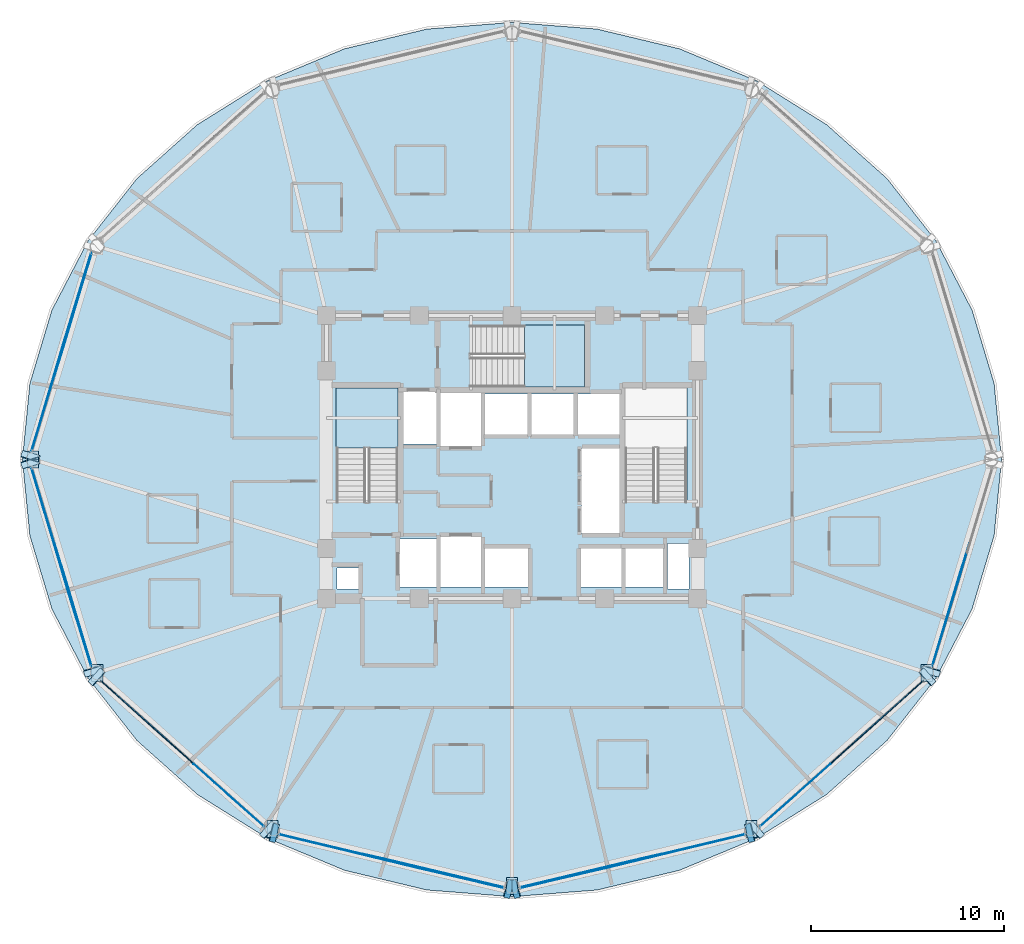
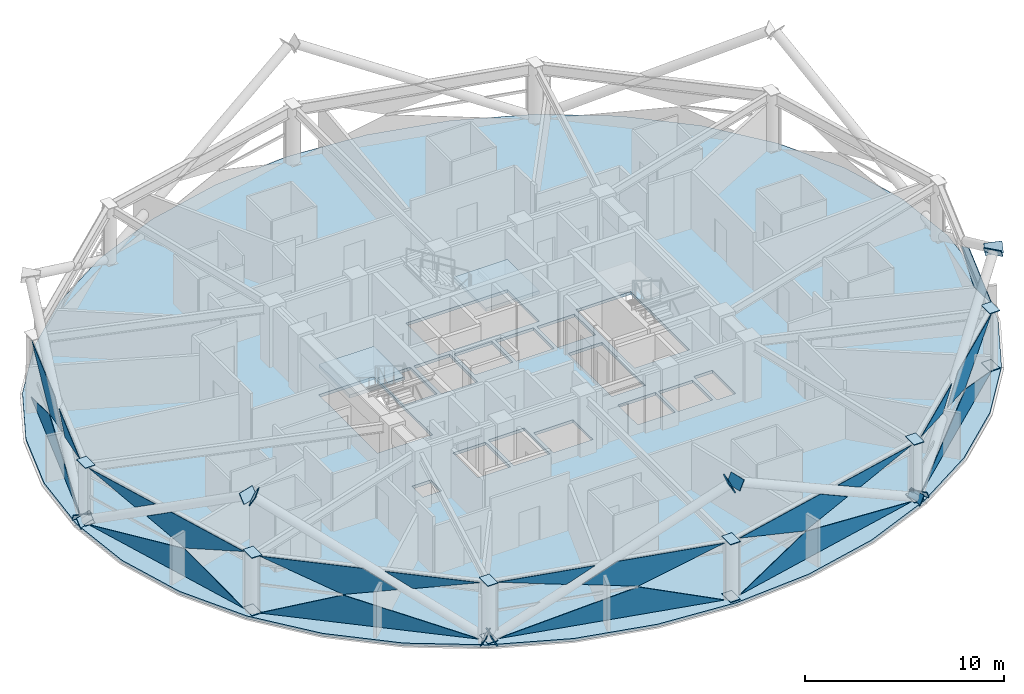
# One storey, part 20 of 29: 43 plates, 3 slabs, 9 elements without a shape of their own.
"""IFC4 building model written with IfcOpenShell, lengths in metres."""

from ifc_helpers import new_model, si_unit, direction, frame, origin, place, context, subcontext, project, spatial, polyline, outline, extrude, material, layer, layer_set, type_object, element, aggregate, save


model = new_model("IFC4")

# Units and contexts
model_context = context("Model", 3, precision=1e-05, world=origin(), true_north=direction((0.0, 1.0)))
body_context = subcontext(model_context, "Body", "Model", "MODEL_VIEW")
ifc_project = project(units=[si_unit("LENGTHUNIT", "METRE"), si_unit("AREAUNIT", "SQUARE_METRE"), si_unit("VOLUMEUNIT", "CUBIC_METRE"), si_unit("PLANEANGLEUNIT", "RADIAN"), si_unit("MASSUNIT", "GRAM", prefix="KILO")], contexts=[model_context])

# Site, building, storey
site_placement = place(None, origin())
site = spatial("IfcSite", under=ifc_project, at=site_placement, CompositionType="ELEMENT")
building_placement = place(site_placement, origin())
building = spatial("IfcBuilding", under=site, at=building_placement, Name="Vantalir Tower", CompositionType="ELEMENT")
storey_placement = place(building_placement, frame((0.0, 0.0, 149.699951171875)))
storey = spatial("IfcBuildingStorey", under=building, at=storey_placement, Name="L37", CompositionType="ELEMENT", Elevation=149.699951171875)

# Curtain wall, plates
ifc_material_1 = material(Name="Champagne-silver PVDF aluminium and double-silver Low-E glass", Category="aluminium")
ifc_layer_1 = layer(ifc_material_1, 0.199951171875)
ifc_layer_set_1 = layer_set([ifc_layer_1], Name="Champagne-silver PVDF aluminium and double-silver Low-E glass")
curtain_wall_type = type_object("IfcCurtainWallType", Name="CW-DIAMOND-Z2", PredefinedType="USERDEFINED", material=ifc_layer_set_1)
curtain_wall_1_placement = place(storey_placement, origin())
curtain_wall_1 = element("IfcCurtainWall", 1, at=curtain_wall_1_placement, inside=storey, type_object=curtain_wall_type, Name="L37 Quilted Pyramid-Diamond Curtain Wall S06", ObjectType="UNITISED CURTAIN WALL", PredefinedType="USERDEFINED")
ifc_material_2 = material(Name="Double-silver Low-E laminated glass IGU", Category="glass")
ifc_layer_2 = layer(ifc_material_2, 0.028076171875)
ifc_layer_set_2 = layer_set([ifc_layer_2], Name="Double-silver Low-E laminated glass IGU")
plate_type_1 = type_object("IfcPlateType", Name="CWP-IGU-28", PredefinedType="CURTAIN_PANEL", material=ifc_layer_set_2)
plate_1_placement = place(storey_placement, frame((9.741943359375, 35.693359375, 0.046875), z_axis=(0.957564071006, -0.287889450564, 0.013809930182), x_axis=(-0.28791660525, -0.957655484974, -2.2792638e-05)))
plate_1 = element("IfcPlate", 2, at=plate_1_placement, type_object=plate_type_1, Name="CW-L37-S06 Pyramid Diamond Facet 1L", PredefinedType="CURTAIN_PANEL", context=body_context, shape_type="SweptSolid", body=[
    extrude(outline(polyline([(0.0, 0.0), (10.711380721923996, 5.44811591673966e-18), (4.075647975215292, -1.7263317397813793), (0.0, 0.0)])), origin(), (0.0, 0.0, -1.0), 0.028076171875),
])
plate_2_placement = place(storey_placement, frame((9.741943359375, 35.693359375, 3.523193359375), z_axis=(-0.957563438218, 0.28789228305, 0.013794750779), x_axis=(-0.287919038671, -0.957654752415, 4.8456693e-05)))
plate_2 = element("IfcPlate", 3, at=plate_2_placement, type_object=plate_type_1, Name="CW-L37-S06 Pyramid Diamond Facet 2U", PredefinedType="CURTAIN_PANEL", context=body_context, shape_type="SweptSolid", body=[
    extrude(outline(polyline([(0.0, 0.0), (5.034224554927279, -5.583641188300348e-18), (6.719779613741699, -1.0385103734618548), (4.075603733998157, -1.7264361838381996), (0.0, 0.0)])), origin(), (0.0, 0.0, -1.0), 0.028076171875),
])
plate_3_placement = place(storey_placement, frame((7.948974609375, 29.841064453125, 3.52392578125), z_axis=(-0.957577912643, 0.287853015002, 0.013608195022), x_axis=(-0.287879671443, -0.957666588521, 0.0)))
plate_3 = element("IfcPlate", 4, at=plate_3_placement, type_object=plate_type_1, Name="CW-L37-S06 Pyramid Diamond Facet 2U Infill Light", PredefinedType="CURTAIN_PANEL", context=body_context, shape_type="SweptSolid", body=[
    extrude(outline(polyline([(0.0, 0.0), (4.590574931890273, 0.0), (1.3629914877459661, -0.8396773599491076), (0.0, 0.0)])), origin(), (0.0, 0.0, -1.0), 0.028076171875),
])
aggregate(curtain_wall_1, [plate_1, plate_2, plate_3])

curtain_wall_2_placement = place(storey_placement, origin())
curtain_wall_2 = element("IfcCurtainWall", 5, at=curtain_wall_2_placement, inside=storey, type_object=curtain_wall_type, Name="L37 Quilted Pyramid-Diamond Curtain Wall S07", ObjectType="UNITISED CURTAIN WALL", PredefinedType="USERDEFINED")
plate_4_placement = place(storey_placement, frame((6.657958984375, 24.564208984375, 0.046630859375), z_axis=(0.957570200047, 0.287870738047, 0.013774983065), x_axis=(0.287897752934, -0.957661152671, 2.2791146e-05)))
plate_4 = element("IfcPlate", 6, at=plate_4_placement, type_object=plate_type_1, Name="CW-L37-S07 Pyramid Diamond Facet 1L", PredefinedType="CURTAIN_PANEL", context=body_context, shape_type="SweptSolid", body=[
    extrude(outline(polyline([(0.0, 0.0), (10.712082131825547, 9.595189226496714e-18), (6.635967016159975, -1.7263309120844164), (0.0, 0.0)])), origin(), (0.0, 0.0, -1.0), 0.028076171875),
])
plate_5_placement = place(storey_placement, frame((8.29248046875, 19.126953125, 3.5234375), z_axis=(-0.957567952801, -0.287879571495, 0.013746566284), x_axis=(0.287906137008, -0.957658631207, -4.846132e-05)))
plate_5 = element("IfcPlate", 7, at=plate_5_placement, type_object=plate_type_1, Name="CW-L37-S07 Pyramid Diamond Facet 2U", PredefinedType="CURTAIN_PANEL", context=body_context, shape_type="SweptSolid", body=[
    extrude(outline(polyline([(0.0, 0.0), (5.034458357653104, -7.101524229780054e-18), (0.9583873463012527, -1.7264350449553847), (-1.6857886644262763, -1.0385097379942545), (0.0, 0.0)])), origin(), (0.0, 0.0, -1.0), 0.028076171875),
])
plate_6_placement = place(storey_placement, frame((6.627197265625, 24.55517578125, 3.52392578125), z_axis=(-0.957572495603, -0.287872590993, 0.013575235525), x_axis=(0.287899120251, -0.957660741891, 0.0)))
plate_6 = element("IfcPlate", 8, at=plate_6_placement, type_object=plate_type_1, Name="CW-L37-S07 Pyramid Diamond Facet 2U Infill Light", PredefinedType="CURTAIN_PANEL", context=body_context, shape_type="SweptSolid", body=[
    extrude(outline(polyline([(0.0, 0.0), (4.591112826598887, 0.0), (3.228121107077916, -0.8396769837242962), (0.0, 0.0)])), origin(), (0.0, 0.0, -1.0), 0.028076171875),
])
aggregate(curtain_wall_2, [plate_4, plate_5, plate_6])

curtain_wall_3_placement = place(storey_placement, origin())
curtain_wall_3 = element("IfcCurtainWall", 9, at=curtain_wall_3_placement, inside=storey, type_object=curtain_wall_type, Name="L37 Quilted Pyramid-Diamond Curtain Wall S08", ObjectType="UNITISED CURTAIN WALL", PredefinedType="USERDEFINED")
plate_7_placement = place(storey_placement, frame((10.212646484375, 13.5673828125, 0.046630859375), z_axis=(0.665343330958, 0.746413503219, 0.013606401538), x_axis=(0.746482801, -0.665404709442, -2.1540407e-05)))
plate_7 = element("IfcPlate", 10, at=plate_7_placement, type_object=plate_type_1, Name="CW-L37-S08 Pyramid Diamond Facet 1L", PredefinedType="CURTAIN_PANEL", context=body_context, shape_type="SweptSolid", body=[
    extrude(outline(polyline([(0.0, 0.0), (11.334076750380676, -1.5449880957918438e-18), (4.308592243507373, -1.7268151628694164), (0.0, 0.0)])), origin(), (0.0, 0.0, -1.0), 0.028076171875),
])
plate_8_placement = place(storey_placement, frame((10.212646484375, 13.5673828125, 3.5234375), z_axis=(-0.665340833971, -0.7464158048, 0.013602242277), x_axis=(0.746484865178, -0.66540239409, -5.5604e-08)))
plate_8 = element("IfcPlate", 11, at=plate_8_placement, type_object=plate_type_1, Name="CW-L37-S08 Pyramid Diamond Facet 2U", PredefinedType="CURTAIN_PANEL", context=body_context, shape_type="SweptSolid", body=[
    extrude(outline(polyline([(0.0, 0.0), (5.335900291168022, -6.938893903907228e-18), (7.110957971921613, -1.0379374260293541), (4.308629458467107, -1.7267223044488915), (0.0, 0.0)])), origin(), (0.0, 0.0, -1.0), 0.028076171875),
])
plate_9_placement = place(storey_placement, frame((15.017333984375, 9.24169921875, 3.52392578125), z_axis=(-0.665344160814, -0.746411740168, 0.013662423276), x_axis=(0.746481868134, -0.665405754433, 5.0139835e-05)))
plate_9 = element("IfcPlate", 12, at=plate_9_placement, type_object=plate_type_1, Name="CW-L37-S08 Pyramid Diamond Facet 2U Infill Light", PredefinedType="CURTAIN_PANEL", context=body_context, shape_type="SweptSolid", body=[
    extrude(outline(polyline([(0.0, 0.0), (4.869194792481777, 1.6263032587282567e-18), (1.4410859729820351, -0.8426802055243123), (0.0, 0.0)])), origin(), (0.0, 0.0, -1.0), 0.028076171875),
])
aggregate(curtain_wall_3, [plate_7, plate_8, plate_9])

curtain_wall_4_placement = place(storey_placement, origin())
curtain_wall_4 = element("IfcCurtainWall", 13, at=curtain_wall_4_placement, inside=storey, type_object=curtain_wall_type, Name="L37 Quilted Pyramid-Diamond Curtain Wall S09", ObjectType="UNITISED CURTAIN WALL", PredefinedType="USERDEFINED")
plate_10_placement = place(storey_placement, frame((19.45556640625, 5.617431640625, 0.04638671875), z_axis=(0.232261179641, 0.972555255955, 0.013820945895), x_axis=(0.972648091392, -0.232283641034, 2.0467322e-05)))
plate_10 = element("IfcPlate", 14, at=plate_10_placement, type_object=plate_type_1, Name="CW-L37-S09 Pyramid Diamond Facet 1L", PredefinedType="CURTAIN_PANEL", context=body_context, shape_type="SweptSolid", body=[
    extrude(outline(polyline([(0.0, 0.0), (11.928312905690158, 1.7889335846010823e-18), (7.389833878033435, -1.7270644900511896), (0.0, 0.0)])), origin(), (0.0, 0.0, -1.0), 0.028076171875),
])
plate_11_placement = place(storey_placement, frame((25.5869140625, 4.153076171875, 3.523681640625), z_axis=(-0.232244358456, -0.972559877803, 0.01377831826), x_axis=(0.972652067447, -0.232266988197, -4.3419937e-05)))
plate_11 = element("IfcPlate", 15, at=plate_11_placement, type_object=plate_type_1, Name="CW-L37-S09 Pyramid Diamond Facet 2U", PredefinedType="CURTAIN_PANEL", context=body_context, shape_type="SweptSolid", body=[
    extrude(outline(polyline([(0.0, 0.0), (5.624523492336616, -1.0842021724855044e-18), (1.0860836947301327, -1.7271675774941564), (-1.8615053362611782, -1.038265398652794), (0.0, 0.0)])), origin(), (0.0, 0.0, -1.0), 0.028076171875),
])
plate_12_placement = place(storey_placement, frame((19.447998046875, 5.586181640625, 3.524169921875), z_axis=(-0.232265164866, -0.972556898893, 0.013637140641), x_axis=(0.972647345493, -0.232286765242, 0.0)))
plate_12 = element("IfcPlate", 16, at=plate_12_placement, type_object=plate_type_1, Name="CW-L37-S09 Pyramid Diamond Facet 2U Infill Light", PredefinedType="CURTAIN_PANEL", context=body_context, shape_type="SweptSolid", body=[
    extrude(outline(polyline([(0.0, 0.0), (5.135338177832368, 0.0), (3.6187515095441403, -0.8457817743537743), (0.0, 0.0)])), origin(), (0.0, 0.0, -1.0), 0.028076171875),
])
aggregate(curtain_wall_4, [plate_10, plate_11, plate_12])

curtain_wall_5_placement = place(storey_placement, origin())
curtain_wall_5 = element("IfcCurtainWall", 17, at=curtain_wall_5_placement, inside=storey, type_object=curtain_wall_type, Name="L37 Quilted Pyramid-Diamond Curtain Wall S10", ObjectType="UNITISED CURTAIN WALL", PredefinedType="USERDEFINED")
plate_13_placement = place(storey_placement, frame((31.9423828125, 2.8466796875, 0.046630859375), z_axis=(-0.232261179641, 0.972555255955, 0.013820945895), x_axis=(0.972648091392, 0.232283641034, -2.0467322e-05)))
plate_13 = element("IfcPlate", 18, at=plate_13_placement, type_object=plate_type_1, Name="CW-L37-S10 Pyramid Diamond Facet 1L", PredefinedType="CURTAIN_PANEL", context=body_context, shape_type="SweptSolid", body=[
    extrude(outline(polyline([(0.0, 0.0), (11.928312905690158, -1.7889335846010823e-18), (4.538479027656725, -1.7270644900511893), (0.0, 0.0)])), origin(), (0.0, 0.0, -1.0), 0.028076171875),
])
plate_14_placement = place(storey_placement, frame((31.9423828125, 2.8466796875, 3.5234375), z_axis=(0.232244358456, -0.972559877803, 0.01377831826), x_axis=(0.972652067447, 0.232266988197, 4.3419937e-05)))
plate_14 = element("IfcPlate", 19, at=plate_14_placement, type_object=plate_type_1, Name="CW-L37-S10 Pyramid Diamond Facet 2U", PredefinedType="CURTAIN_PANEL", context=body_context, shape_type="SweptSolid", body=[
    extrude(outline(polyline([(0.0, 0.0), (5.624523492336616, 1.0842021724855044e-18), (7.486028828597794, -1.0382653986527943), (4.5384397976064825, -1.7271675774941564), (0.0, 0.0)])), origin(), (0.0, 0.0, -1.0), 0.028076171875),
])
plate_15_placement = place(storey_placement, frame((38.55712890625, 4.393310546875, 3.524169921875), z_axis=(0.232265164866, -0.972556898893, 0.013637140641), x_axis=(0.972647345493, 0.232286765242, 0.0)))
plate_15 = element("IfcPlate", 20, at=plate_15_placement, type_object=plate_type_1, Name="CW-L37-S10 Pyramid Diamond Facet 2U Infill Light", PredefinedType="CURTAIN_PANEL", context=body_context, shape_type="SweptSolid", body=[
    extrude(outline(polyline([(0.0, 0.0), (5.135338177832368, 0.0), (1.5165866682882279, -0.8457817743537743), (0.0, 0.0)])), origin(), (0.0, 0.0, -1.0), 0.028076171875),
])
aggregate(curtain_wall_5, [plate_13, plate_14, plate_15])

curtain_wall_6_placement = place(storey_placement, origin())
curtain_wall_6 = element("IfcCurtainWall", 21, at=curtain_wall_6_placement, inside=storey, type_object=curtain_wall_type, Name="L37 Quilted Pyramid-Diamond Curtain Wall S11", ObjectType="UNITISED CURTAIN WALL", PredefinedType="USERDEFINED")
plate_16_placement = place(storey_placement, frame((44.32666015625, 6.025634765625, 0.04638671875), z_axis=(-0.665343330958, 0.746413503219, 0.013606401538), x_axis=(0.746482801, 0.665404709442, 2.1540407e-05)))
plate_16 = element("IfcPlate", 22, at=plate_16_placement, type_object=plate_type_1, Name="CW-L37-S11 Pyramid Diamond Facet 1L", PredefinedType="CURTAIN_PANEL", context=body_context, shape_type="SweptSolid", body=[
    extrude(outline(polyline([(0.0, 0.0), (11.334076750380676, 1.5449880957918438e-18), (7.025484506873303, -1.7268151628694162), (0.0, 0.0)])), origin(), (0.0, 0.0, -1.0), 0.028076171875),
])
plate_17_placement = place(storey_placement, frame((48.80419921875, 10.016845703125, 3.5234375), z_axis=(0.665340833971, -0.7464158048, 0.013602242277), x_axis=(0.746484865178, 0.66540239409, 5.5604e-08)))
plate_17 = element("IfcPlate", 23, at=plate_17_placement, type_object=plate_type_1, Name="CW-L37-S11 Pyramid Diamond Facet 2U", PredefinedType="CURTAIN_PANEL", context=body_context, shape_type="SweptSolid", body=[
    extrude(outline(polyline([(0.0, 0.0), (5.335900291168022, 6.938893903907228e-18), (1.0272708327009152, -1.7267223044488915), (-1.7750576807535918, -1.0379374260293541), (0.0, 0.0)])), origin(), (0.0, 0.0, -1.0), 0.028076171875),
])
plate_18_placement = place(storey_placement, frame((44.347900390625, 6.001708984375, 3.524169921875), z_axis=(0.665344160814, -0.746411740168, 0.013662423276), x_axis=(0.746481868134, 0.665405754433, -5.0139835e-05)))
plate_18 = element("IfcPlate", 24, at=plate_18_placement, type_object=plate_type_1, Name="CW-L37-S11 Pyramid Diamond Facet 2U Infill Light", PredefinedType="CURTAIN_PANEL", context=body_context, shape_type="SweptSolid", body=[
    extrude(outline(polyline([(0.0, 0.0), (4.869194792481777, -1.6263032587282567e-18), (3.428108819499742, -0.8426802055243123), (0.0, 0.0)])), origin(), (0.0, 0.0, -1.0), 0.028076171875),
])
aggregate(curtain_wall_6, [plate_16, plate_17, plate_18])

# Curtain wall, plate
curtain_wall_7_placement = place(storey_placement, origin())
curtain_wall_7 = element("IfcCurtainWall", 25, at=curtain_wall_7_placement, inside=storey, type_object=curtain_wall_type, Name="L37 Quilted Pyramid-Diamond Curtain Wall S12", ObjectType="UNITISED CURTAIN WALL", PredefinedType="USERDEFINED")
plate_19_placement = place(storey_placement, frame((53.258056640625, 14.3056640625, 3.523193359375), z_axis=(0.957567952801, -0.287879571495, 0.013746566284), x_axis=(0.287906137008, 0.957658631207, 4.846132e-05)))
plate_19 = element("IfcPlate", 26, at=plate_19_placement, type_object=plate_type_1, Name="CW-L37-S12 Pyramid Diamond Facet 2U", PredefinedType="CURTAIN_PANEL", context=body_context, shape_type="SweptSolid", body=[
    extrude(outline(polyline([(0.0, 0.0), (5.034458357653104, 7.101524229780054e-18), (6.7202470220793815, -1.0385097379942543), (4.076071011351853, -1.7264350449553847), (0.0, 0.0)])), origin(), (0.0, 0.0, -1.0), 0.028076171875),
])
aggregate(curtain_wall_7, [plate_19])

# Plates
ifc_material_3 = material(Name="Steel S460", Category="steel")
ifc_layer_3 = layer(ifc_material_3, 0.0400390625)
ifc_layer_set_3 = layer_set([ifc_layer_3], Name="Steel S460")
plate_type_2 = type_object("IfcPlateType", Name="PLT-KN-Z1", PredefinedType="USERDEFINED", material=ifc_layer_set_3)
plate_20_placement = place(storey_placement, frame((52.67138671875, 14.00439453125, 6.87744140625), z_axis=(-0.245161065098, -0.81534378321, 0.524509835314), x_axis=(0.957633054054, -0.287991195479, -7.1478828e-05)))
element("IfcPlate", 27, at=plate_20_placement, inside=storey, type_object=plate_type_2, Name="Node Cap Plate MEM-DG-L37-R01R End", ObjectType="FLANGE_PLATE", PredefinedType="USERDEFINED", context=body_context, shape_type="SweptSolid", body=[
    extrude(outline(polyline([(0.0, 0.0), (0.949946017953676, 0.0), (0.9499703807707544, 0.6200343139479246), (-0.00013912396480025076, 0.619874796632012), (0.0, 0.0)])), origin(), (0.0, 0.0, -1.0), 0.0400390625),
])
plate_21_placement = place(storey_placement, frame((6.1748046875, 24.521728515625, -0.064208984375), z_axis=(0.245198528046, -0.815358960732, 0.524468728332), x_axis=(0.957644828219, 0.287952044559, -5.495557e-05)))
element("IfcPlate", 28, at=plate_21_placement, inside=storey, type_object=plate_type_2, Name="Node Cap Plate MEM-DG-L37-R19L Start", ObjectType="FLANGE_PLATE", PredefinedType="USERDEFINED", context=body_context, shape_type="SweptSolid", body=[
    extrude(outline(polyline([(0.0, 0.0), (0.949875712853822, 0.0), (0.9500051136610097, 0.6199974390364539), (5.9100015059114756e-05, 0.6198748149543554), (0.0, 0.0)])), origin(), (0.0, 0.0, -1.0), 0.0400390625),
])
plate_22_placement = place(storey_placement, frame((9.4189453125, 13.730712890625, 6.87744140625), z_axis=(0.245161065098, -0.81534378321, 0.524509835314), x_axis=(0.957633054054, 0.287991195479, 7.1478828e-05)))
element("IfcPlate", 29, at=plate_22_placement, inside=storey, type_object=plate_type_2, Name="Node Cap Plate MEM-DG-L37-R19L End", ObjectType="FLANGE_PLATE", PredefinedType="USERDEFINED", context=body_context, shape_type="SweptSolid", body=[
    extrude(outline(polyline([(0.0, 0.0), (0.949946017953676, 0.0), (0.9500851419184762, 0.619874796632012), (-2.4362817078412635e-05, 0.6200343139479246), (0.0, 0.0)])), origin(), (0.0, 0.0, -1.0), 0.0400390625),
])
plate_23_placement = place(storey_placement, frame((7.084716796875, 25.204833984375, -0.064208984375), z_axis=(0.245161065098, 0.81534378321, 0.524509835314), x_axis=(-0.957658411379, 0.287906863425, 7.1466528e-05)))
element("IfcPlate", 30, at=plate_23_placement, inside=storey, type_object=plate_type_2, Name="Node Cap Plate MEM-DG-L37-R19R Start", ObjectType="FLANGE_PLATE", PredefinedType="USERDEFINED", context=body_context, shape_type="SweptSolid", body=[
    extrude(outline(polyline([(0.0, 0.0), (0.9501095181265237, 0.0), (0.950074467180399, 0.6198748112534392), (0.00012846261538750214, 0.6200343011187179), (0.0, 0.0)])), origin(), (0.0, 0.0, -1.0), 0.0400390625),
])
plate_24_placement = place(storey_placement, frame((19.2431640625, 5.1796875, -0.07958984375), z_axis=(0.849504181808, -0.20289346905, 0.487008095731), x_axis=(0.232303709897, 0.972643298629, 0.0)))
element("IfcPlate", 31, at=plate_24_placement, inside=storey, type_object=plate_type_2, Name="Node Cap Plate MEM-DG-L37-R25L Start", ObjectType="FLANGE_PLATE", PredefinedType="USERDEFINED", context=body_context, shape_type="SweptSolid", body=[
    extrude(outline(polyline([(0.0, 0.0), (0.9500628513325243, -1.3877787807814457e-17), (0.949986499696851, 0.6199971193487023), (-7.635163567328018e-05, 0.6199971193487023), (0.0, 0.0)])), origin(), (0.0, 0.0, -1.0), 0.0400390625),
])
plate_25_placement = place(storey_placement, frame((31.376953125, 2.281982421875, 6.877685546875), z_axis=(0.84942532367, -0.202789213882, 0.487189033376), x_axis=(0.23217542996, 0.972673925519, 6.5869662e-05)))
element("IfcPlate", 32, at=plate_25_placement, inside=storey, type_object=plate_type_2, Name="Node Cap Plate MEM-DG-L37-R25L End", ObjectType="FLANGE_PLATE", PredefinedType="USERDEFINED", context=body_context, shape_type="SweptSolid", body=[
    extrude(outline(polyline([(0.0, 0.0), (0.9500061575542947, 0.0), (0.950005296541849, 0.619997110744573), (0.00017992475307138195, 0.6201404083029609), (0.0, 0.0)])), origin(), (0.0, 0.0, -1.0), 0.0400390625),
])
plate_26_placement = place(storey_placement, frame((19.0654296875, 6.312744140625, -0.072509765625), z_axis=(-0.644314974379, 0.574449495229, 0.504842541018), x_axis=(-0.665479465897, -0.746416157696, 0.0)))
element("IfcPlate", 33, at=plate_26_placement, inside=storey, type_object=plate_type_2, Name="Node Cap Plate MEM-DG-L37-R25R Start", ObjectType="FLANGE_PLATE", PredefinedType="USERDEFINED", context=body_context, shape_type="SweptSolid", body=[
    extrude(outline(polyline([(0.0, 0.0), (0.950178406928635, 0.0), (0.9501366915113127, 0.6199596280945724), (-4.171541732225781e-05, 0.6199596280945724), (0.0, 0.0)])), origin(), (0.0, 0.0, -1.0), 0.0400390625),
])
plate_27_placement = place(storey_placement, frame((10.193359375, 14.220703125, 6.87744140625), z_axis=(-0.644500041067, 0.574392635567, 0.504670979225), x_axis=(-0.665336277327, -0.746543795147, 0.0)))
element("IfcPlate", 34, at=plate_27_placement, inside=storey, type_object=plate_type_2, Name="Node Cap Plate MEM-DG-L37-R25R End", ObjectType="FLANGE_PLATE", PredefinedType="USERDEFINED", context=body_context, shape_type="SweptSolid", body=[
    extrude(outline(polyline([(0.0, 0.0), (0.9500159538334854, 2.7755575615628914e-17), (0.9500342741113756, 0.6201703864576605), (1.8320277890282455e-05, 0.6201703864576605), (0.0, 0.0)])), origin(), (0.0, 0.0, -1.0), 0.0400390625),
])
plate_28_placement = place(storey_placement, frame((44.56689453125, 5.603515625, -0.072509765625), z_axis=(0.644314974379, 0.574449495229, 0.504842541018), x_axis=(-0.665479465897, 0.746416157696, 0.0)))
element("IfcPlate", 35, at=plate_28_placement, inside=storey, type_object=plate_type_2, Name="Node Cap Plate MEM-DG-L37-R31L Start", ObjectType="FLANGE_PLATE", PredefinedType="USERDEFINED", context=body_context, shape_type="SweptSolid", body=[
    extrude(outline(polyline([(0.0, 0.0), (0.950178406928635, 0.0), (0.9502201223459572, 0.6199596280945724), (4.171541732225781e-05, 0.6199596280945724), (0.0, 0.0)])), origin(), (0.0, 0.0, -1.0), 0.0400390625),
])
plate_29_placement = place(storey_placement, frame((53.438720703125, 13.511474609375, 6.87744140625), z_axis=(0.644500041067, 0.574392635567, 0.504670979225), x_axis=(-0.665336277327, 0.746543795147, 0.0)))
element("IfcPlate", 36, at=plate_29_placement, inside=storey, type_object=plate_type_2, Name="Node Cap Plate MEM-DG-L37-R31L End", ObjectType="FLANGE_PLATE", PredefinedType="USERDEFINED", context=body_context, shape_type="SweptSolid", body=[
    extrude(outline(polyline([(0.0, 0.0), (0.9500159538334854, -2.7755575615628914e-17), (0.9499976335555952, 0.6201703864576604), (-1.8320277890282455e-05, 0.6201703864576605), (0.0, 0.0)])), origin(), (0.0, 0.0, -1.0), 0.0400390625),
])
plate_30_placement = place(storey_placement, frame((43.5361328125, 6.103759765625, -0.07958984375), z_axis=(-0.849504181808, -0.20289346905, 0.487008095731), x_axis=(0.232303709897, -0.972643298629, 0.0)))
element("IfcPlate", 37, at=plate_30_placement, inside=storey, type_object=plate_type_2, Name="Node Cap Plate MEM-DG-L37-R31R Start", ObjectType="FLANGE_PLATE", PredefinedType="USERDEFINED", context=body_context, shape_type="SweptSolid", body=[
    extrude(outline(polyline([(0.0, 0.0), (0.9500628513325243, 1.3877787807814457e-17), (0.9501392029681976, 0.6199971193487023), (7.635163567328018e-05, 0.6199971193487023), (0.0, 0.0)])), origin(), (0.0, 0.0, -1.0), 0.0400390625),
])
plate_31_placement = place(storey_placement, frame((31.402587890625, 3.2060546875, 6.877685546875), z_axis=(-0.84942532367, -0.202789213882, 0.487189033376), x_axis=(0.23217542996, -0.972673925519, -6.5869662e-05)))
element("IfcPlate", 38, at=plate_31_placement, inside=storey, type_object=plate_type_2, Name="Node Cap Plate MEM-DG-L37-R31R End", ObjectType="FLANGE_PLATE", PredefinedType="USERDEFINED", context=body_context, shape_type="SweptSolid", body=[
    extrude(outline(polyline([(0.0, 0.0), (0.9500061575542947, 0.0), (0.9498262328012235, 0.6201404083029609), (8.610124458259834e-07, 0.619997110744573), (0.0, 0.0)])), origin(), (0.0, 0.0, -1.0), 0.0400390625),
])
ifc_layer_4 = layer(ifc_material_3, 0.035888671875)
ifc_layer_set_4 = layer_set([ifc_layer_4], Name="Steel S460")
plate_type_3 = type_object("IfcPlateType", Name="PLT-KN-Z2", PredefinedType="USERDEFINED", material=ifc_layer_set_4)
for number, where, z_axis, x_axis, name in (
    (39, (6.427001953125, 25.43994140625, 3.59814453125), (0.0, 0.0, 1.0), (0.0, -1.0, 0.0), "L37 Ring Column Top Cap RC07"),
    (40, (6.427001953125, 25.43994140625, 0.052978515625), (0.0, 0.0, 1.0), (0.0, -1.0, 0.0), "L37 Ring Column Base Cap RC07"),
):
    element("IfcPlate", number, at=place(storey_placement, frame(where, z_axis=z_axis, x_axis=x_axis)), inside=storey, type_object=plate_type_3, Name=name, ObjectType="FLANGE_PLATE", PredefinedType="USERDEFINED", context=body_context, shape_type="SweptSolid", body=[
        extrude(outline(polyline([(0.0, 0.0), (0.8798828125, 0.0), (0.8798828125, 0.580078125), (0.0, 0.580078125), (0.0, 0.0)])), origin(), (0.0, 0.0, -1.0), 0.035888671875),
    ])
for number, where, z_axis, x_axis, name in (
    (41, (9.7470703125, 14.405029296875, 3.59814453125), (0.0, 0.0, 1.0), (0.0, -1.0, 0.0), "L37 Ring Column Top Cap RC08"),
    (42, (9.7470703125, 14.405029296875, 0.052978515625), (0.0, 0.0, 1.0), (0.0, -1.0, 0.0), "L37 Ring Column Base Cap RC08"),
):
    element("IfcPlate", number, at=place(storey_placement, frame(where, z_axis=z_axis, x_axis=x_axis)), inside=storey, type_object=plate_type_3, Name=name, ObjectType="FLANGE_PLATE", PredefinedType="USERDEFINED", context=body_context, shape_type="SweptSolid", body=[
        extrude(outline(polyline([(0.0, 0.0), (0.880126953125, 0.0), (0.880126953125, 0.579833984375), (0.0, 0.579833984375), (0.0, 0.0)])), origin(), (0.0, 0.0, -1.0), 0.035888671875),
    ])
for number, where, z_axis, x_axis, name in (
    (43, (18.818115234375, 6.327880859375, 3.59814453125), (0.0, 0.0, 1.0), (0.0, -1.0, 0.0), "L37 Ring Column Top Cap RC09"),
    (44, (18.818115234375, 6.327880859375, 0.052978515625), (0.0, 0.0, 1.0), (0.0, -1.0, 0.0), "L37 Ring Column Base Cap RC09"),
):
    element("IfcPlate", number, at=place(storey_placement, frame(where, z_axis=z_axis, x_axis=x_axis)), inside=storey, type_object=plate_type_3, Name=name, ObjectType="FLANGE_PLATE", PredefinedType="USERDEFINED", context=body_context, shape_type="SweptSolid", body=[
        extrude(outline(polyline([(0.0, 0.0), (0.8798828125, 0.0), (0.8798828125, 0.579833984375), (0.0, 0.579833984375), (0.0, 0.0)])), origin(), (0.0, 0.0, -1.0), 0.035888671875),
    ])
for number, where, z_axis, x_axis, name in (
    (45, (31.2099609375, 3.37109375, 3.59814453125), (0.0, 0.0, 1.0), (0.0, -1.0, 0.0), "L37 Ring Column Top Cap RC10"),
    (46, (31.2099609375, 3.37109375, 0.052978515625), (0.0, 0.0, 1.0), (0.0, -1.0, 0.0), "L37 Ring Column Base Cap RC10"),
):
    element("IfcPlate", number, at=place(storey_placement, frame(where, z_axis=z_axis, x_axis=x_axis)), inside=storey, type_object=plate_type_3, Name=name, ObjectType="FLANGE_PLATE", PredefinedType="USERDEFINED", context=body_context, shape_type="SweptSolid", body=[
        extrude(outline(polyline([(0.0, 0.0), (0.880126953125, 0.0), (0.880126953125, 0.580078125), (0.0, 0.580078125), (0.0, 0.0)])), origin(), (0.0, 0.0, -1.0), 0.035888671875),
    ])
for number, where, z_axis, x_axis, name in (
    (47, (43.60205078125, 6.327880859375, 3.59814453125), (0.0, 0.0, 1.0), (0.0, -1.0, 0.0), "L37 Ring Column Top Cap RC11"),
    (48, (43.60205078125, 6.327880859375, 0.052978515625), (0.0, 0.0, 1.0), (0.0, -1.0, 0.0), "L37 Ring Column Base Cap RC11"),
):
    element("IfcPlate", number, at=place(storey_placement, frame(where, z_axis=z_axis, x_axis=x_axis)), inside=storey, type_object=plate_type_3, Name=name, ObjectType="FLANGE_PLATE", PredefinedType="USERDEFINED", context=body_context, shape_type="SweptSolid", body=[
        extrude(outline(polyline([(0.0, 0.0), (0.8798828125, 0.0), (0.8798828125, 0.579833984375), (0.0, 0.579833984375), (0.0, 0.0)])), origin(), (0.0, 0.0, -1.0), 0.035888671875),
    ])
for number, where, z_axis, x_axis, name in (
    (49, (52.673095703125, 14.405029296875, 3.59814453125), (0.0, 0.0, 1.0), (0.0, -1.0, 0.0), "L37 Ring Column Top Cap RC12"),
    (50, (52.673095703125, 14.405029296875, 0.052978515625), (0.0, 0.0, 1.0), (0.0, -1.0, 0.0), "L37 Ring Column Base Cap RC12"),
):
    element("IfcPlate", number, at=place(storey_placement, frame(where, z_axis=z_axis, x_axis=x_axis)), inside=storey, type_object=plate_type_3, Name=name, ObjectType="FLANGE_PLATE", PredefinedType="USERDEFINED", context=body_context, shape_type="SweptSolid", body=[
        extrude(outline(polyline([(0.0, 0.0), (0.880126953125, 0.0), (0.880126953125, 0.579833984375), (0.0, 0.579833984375), (0.0, 0.0)])), origin(), (0.0, 0.0, -1.0), 0.035888671875),
    ])

# Stair, slab
ifc_material_4 = material(Name="Concrete C40/50", Category="concrete")
stair_type = type_object("IfcStairType", Name="STR-CORE-1450", PredefinedType="HALF_TURN_STAIR", material=ifc_material_4)
stair_1_placement = place(storey_placement, origin())
stair_1 = element("IfcStair", 51, at=stair_1_placement, inside=storey, type_object=stair_type, Name="L37 Core Exit Stair 1", PredefinedType="HALF_TURN_STAIR")
ifc_layer_5 = layer(ifc_material_4, 0.199951171875)
ifc_layer_set_5 = layer_set([ifc_layer_5], Name="Concrete C40/50")
slab_type_1 = type_object("IfcSlabType", Name="SL-LAND-200", PredefinedType="LANDING", material=ifc_layer_set_5)
slab_1_placement = place(storey_placement, frame((0.0, 0.0, 1.675048828125)))
slab_1 = element("IfcSlab", 52, at=slab_1_placement, type_object=slab_type_1, Name="ST1 landing 1", PredefinedType="LANDING", context=body_context, shape_type="SweptSolid", body=[
    extrude(outline(polyline([(25.60009765625, 25.590087890625), (25.60009765625, 28.699951171875), (22.39990234375, 28.699951171875), (22.39990234375, 25.590087890625), (25.60009765625, 25.590087890625)])), origin(), (0.0, 0.0, 1.0), 0.199951171875),
])
aggregate(stair_1, [slab_1])

stair_2_placement = place(storey_placement, origin())
stair_2 = element("IfcStair", 53, at=stair_2_placement, inside=storey, type_object=stair_type, Name="L37 Core Exit Stair 3", PredefinedType="HALF_TURN_STAIR")
slab_2_placement = place(storey_placement, frame((0.0, 0.0, 1.675048828125)))
slab_2 = element("IfcSlab", 54, at=slab_2_placement, type_object=slab_type_1, Name="ST3 landing 1", PredefinedType="LANDING", context=body_context, shape_type="SweptSolid", body=[
    extrude(outline(polyline([(32.139892578125, 28.75), (35.25, 28.75), (35.25, 31.949951171875), (32.139892578125, 31.949951171875), (32.139892578125, 28.75)])), origin(), (0.0, 0.0, 1.0), 0.199951171875),
])
aggregate(stair_2, [slab_2])

# Slab
ifc_layer_6 = layer(ifc_material_4, 0.179931640625)
ifc_layer_set_6 = layer_set([ifc_layer_6], Name="Concrete C40/50")
slab_type_2 = type_object("IfcSlabType", Name="SL-TWR-180", PredefinedType="FLOOR", material=ifc_layer_set_6)
slab_3_placement = place(storey_placement, frame((0.0, 0.0, -0.179931640625)))
element("IfcSlab", 55, at=slab_3_placement, inside=storey, type_object=slab_type_2, Name="L37 Primary Structural Slab", PredefinedType="FLOOR", context=body_context, shape_type="SweptSolid", body=[
    extrude(outline(polyline([(9.56103515625, 13.68994140625), (12.093994140625, 10.4609375), (15.216064453125, 7.673095703125), (18.8330078125, 5.410888671875), (22.8359375, 3.7451171875), (27.10107421875, 2.72509765625), (31.5, 2.381103515625), (35.89892578125, 2.72509765625), (40.1640625, 3.7451171875), (44.1669921875, 5.410888671875), (47.783935546875, 7.673095703125), (50.906005859375, 10.4609375), (53.43896484375, 13.68994140625), (55.304931640625, 17.263916015625), (56.447998046875, 21.072021484375), (56.8330078125, 25.0), (56.447998046875, 28.927978515625), (55.304931640625, 32.736083984375), (53.43896484375, 36.30908203125), (50.906005859375, 39.5390625), (47.783935546875, 42.326904296875), (44.1669921875, 44.589111328125), (40.1640625, 46.2548828125), (35.89892578125, 47.27490234375), (31.5, 47.618896484375), (27.10107421875, 47.27490234375), (22.8359375, 46.2548828125), (18.833984375, 44.589111328125), (15.216064453125, 42.326904296875), (12.093994140625, 39.5390625), (9.56103515625, 36.30908203125), (7.695068359375, 32.736083984375), (6.552001953125, 28.927978515625), (6.1669921875, 25.0), (6.552001953125, 21.072021484375), (7.695068359375, 17.263916015625), (9.56103515625, 13.68994140625)]), holes=[polyline([(22.39990234375, 22.7900390625), (22.39990234375, 28.699951171875), (25.60009765625, 28.699951171875), (25.60009765625, 22.7900390625), (22.39990234375, 22.7900390625)]), polyline([(37.35009765625, 28.699951171875), (40.550048828125, 28.699951171875), (40.550048828125, 22.7900390625), (37.35009765625, 22.7900390625), (37.35009765625, 28.699951171875)]), polyline([(35.25, 28.75), (29.340087890625, 28.75), (29.340087890625, 31.949951171875), (35.25, 31.949951171875), (35.25, 28.75)]), polyline([(27.60009765625, 18.39990234375), (25.699951171875, 18.39990234375), (25.699951171875, 20.89990234375), (27.60009765625, 20.89990234375), (27.60009765625, 18.39990234375)]), polyline([(25.699951171875, 25.800048828125), (25.699951171875, 28.5), (27.60009765625, 28.5), (27.60009765625, 25.800048828125), (25.699951171875, 25.800048828125)]), polyline([(27.800048828125, 21.0), (29.89990234375, 21.0), (29.89990234375, 18.39990234375), (27.800048828125, 18.39990234375), (27.800048828125, 21.0)]), polyline([(29.89990234375, 28.5), (29.89990234375, 25.699951171875), (27.800048828125, 25.699951171875), (27.800048828125, 28.5), (29.89990234375, 28.5)]), polyline([(32.39990234375, 18.39990234375), (30.10009765625, 18.39990234375), (30.10009765625, 20.39990234375), (32.39990234375, 20.39990234375), (32.39990234375, 18.39990234375)]), polyline([(37.35009765625, 18.39990234375), (37.35009765625, 20.39990234375), (39.35009765625, 20.39990234375), (39.35009765625, 18.39990234375), (37.35009765625, 18.39990234375)]), polyline([(35.0, 20.39990234375), (37.199951171875, 20.39990234375), (37.199951171875, 18.39990234375), (35.0, 18.39990234375), (35.0, 20.39990234375)]), polyline([(32.300048828125, 28.39990234375), (32.300048828125, 26.300048828125), (30.10009765625, 26.300048828125), (30.10009765625, 28.39990234375), (32.300048828125, 28.39990234375)]), polyline([(34.699951171875, 26.300048828125), (32.5, 26.300048828125), (32.5, 28.39990234375), (34.699951171875, 28.39990234375), (34.699951171875, 26.300048828125)]), polyline([(34.89990234375, 26.300048828125), (34.89990234375, 28.39990234375), (37.10009765625, 28.39990234375), (37.10009765625, 26.300048828125), (34.89990234375, 26.300048828125)]), polyline([(35.10009765625, 25.56005859375), (37.06005859375, 25.56005859375), (37.06005859375, 21.199951171875), (35.10009765625, 21.199951171875), (35.10009765625, 25.56005859375)]), polyline([(23.550048828125, 19.39990234375), (23.550048828125, 18.300048828125), (22.449951171875, 18.300048828125), (22.449951171875, 19.39990234375), (23.550048828125, 19.39990234375)]), polyline([(40.64990234375, 18.300048828125), (39.550048828125, 18.300048828125), (39.550048828125, 20.64990234375), (40.64990234375, 20.64990234375), (40.64990234375, 18.300048828125)])]), origin(), (0.0, 0.0, 1.0), 0.179931640625),
])

save(model, "model.ifc")
